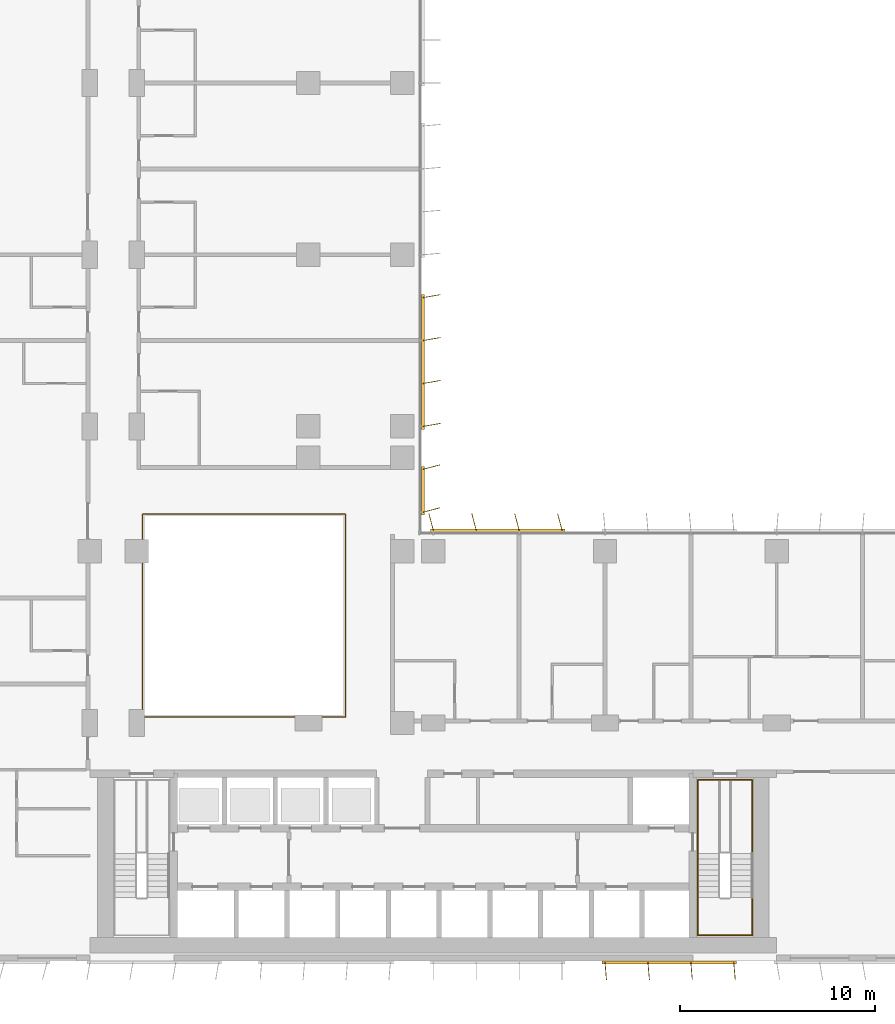
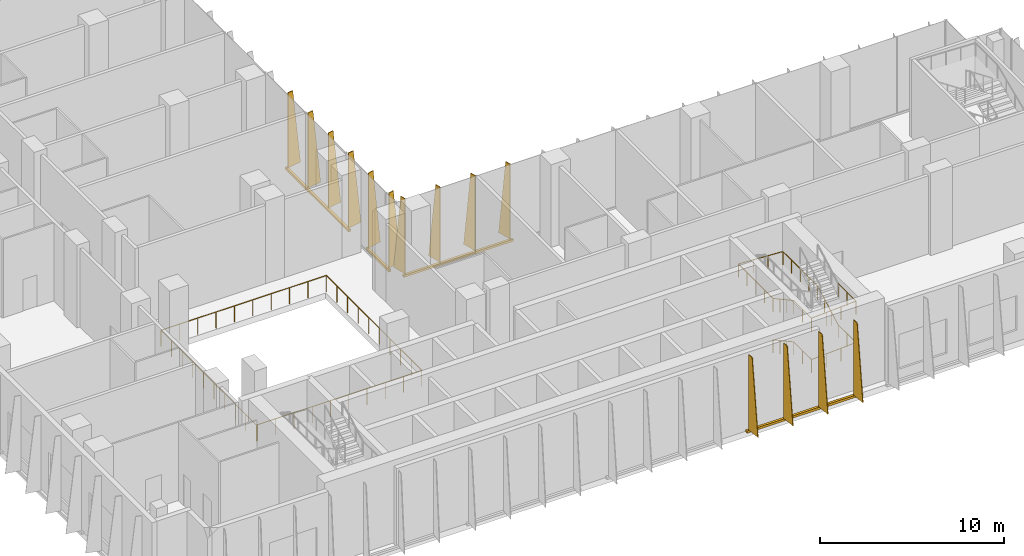
# One storey, part 21 of 26: 4 shading devices, 3 railings.
"""IFC4 building model written with IfcOpenShell, lengths in metres."""

from ifc_helpers import new_model, si_unit, direction, frame, origin, origin_2d, place, context, subcontext, project, spatial, polyline, rectangle, circle, outline, extrude, source, transform, mapped, material, layer, layer_set, type_object, element, save


model = new_model("IFC4")

# Units and contexts
model_context = context("Model", 3, precision=1e-05, world=origin(), true_north=direction((0.0, 1.0)))
body_context = subcontext(model_context, "Body", "Model", "MODEL_VIEW")
ifc_project = project(units=[si_unit("LENGTHUNIT", "METRE"), si_unit("AREAUNIT", "SQUARE_METRE"), si_unit("VOLUMEUNIT", "CUBIC_METRE"), si_unit("PLANEANGLEUNIT", "RADIAN"), si_unit("MASSUNIT", "GRAM", prefix="KILO")], contexts=[model_context])

# Site, building, storey
site_placement = place(None, origin())
site = spatial("IfcSite", under=ifc_project, at=site_placement, CompositionType="ELEMENT")
building_placement = place(site_placement, origin())
building = spatial("IfcBuilding", under=site, at=building_placement, Name="Kemantara Hotel Tower", CompositionType="ELEMENT")
storey_placement = place(building_placement, frame((0.0, 0.0, 101.89990234375)))
storey = spatial("IfcBuildingStorey", under=building, at=storey_placement, Name="L24", CompositionType="ELEMENT", Elevation=101.89990234375)

# Railings
ifc_material_1 = material(Name="Stainless steel and laminated glass balustrade", Category="steel")
railing_type_1 = type_object("IfcRailingType", Name="ATRIUM GUARD 1100", PredefinedType="GUARDRAIL", material=ifc_material_1)
railing_1_placement = place(storey_placement, frame((12.56005859375, 12.5, 0.0)))
element("IfcRailing", 1, at=railing_1_placement, inside=storey, type_object=railing_type_1, Name="ATRIUM GUARD L24", PredefinedType="GUARDRAIL", context=body_context, shape_type="SweptSolid", body=[
    extrude(circle(Radius=0.02490234375, at=origin_2d()), frame((0.0, 0.0, 1.0751953125), z_axis=(1.0, 0.0, 0.0), x_axis=(0.0, 1.0, 0.0)), (0.0, 0.0, 1.0), 10.33984375),
    extrude(circle(Radius=0.02490234375, at=origin_2d()), frame((10.33984375, 0.0, 1.0751953125), z_axis=(0.0, 1.0, 0.0), x_axis=(-1.0, 0.0, 0.0)), (0.0, 0.0, 1.0), 10.39990234375),
    extrude(circle(Radius=0.02490234375, at=origin_2d()), frame((10.33984375, 10.39990234375, 1.0751953125), z_axis=(-1.0, 0.0, 0.0), x_axis=(0.0, -1.0, 0.0)), (0.0, 0.0, 1.0), 10.39990234375),
    extrude(circle(Radius=0.02490234375, at=origin_2d()), frame((-0.06005859375, 10.39990234375, 1.0751953125), z_axis=(0.0, -1.0, 0.0), x_axis=(1.0, 0.0, 0.0)), (0.0, 0.0, 1.0), 10.39990234375),
    extrude(circle(Radius=0.02001953125, at=origin_2d()), origin(), (0.0, 0.0, 1.0), 1.050048828125),
    extrude(circle(Radius=0.02001953125, at=origin_2d()), frame((1.14892578125, 0.0, 0.0)), (0.0, 0.0, 1.0), 1.050048828125),
    extrude(circle(Radius=0.02001953125, at=origin_2d()), frame((2.2978515625, 0.0, 0.0)), (0.0, 0.0, 1.0), 1.050048828125),
    extrude(circle(Radius=0.02001953125, at=origin_2d()), frame((3.446533203125, 0.0, 0.0)), (0.0, 0.0, 1.0), 1.050048828125),
    extrude(circle(Radius=0.02001953125, at=origin_2d()), frame((4.595458984375, 0.0, 0.0)), (0.0, 0.0, 1.0), 1.050048828125),
    extrude(circle(Radius=0.02001953125, at=origin_2d()), frame((5.744384765625, 0.0, 0.0)), (0.0, 0.0, 1.0), 1.050048828125),
    extrude(circle(Radius=0.02001953125, at=origin_2d()), frame((6.893310546875, 0.0, 0.0)), (0.0, 0.0, 1.0), 1.050048828125),
    extrude(circle(Radius=0.02001953125, at=origin_2d()), frame((8.0419921875, 0.0, 0.0)), (0.0, 0.0, 1.0), 1.050048828125),
    extrude(circle(Radius=0.02001953125, at=origin_2d()), frame((9.19091796875, 0.0, 0.0)), (0.0, 0.0, 1.0), 1.050048828125),
    extrude(circle(Radius=0.02001953125, at=origin_2d()), frame((10.33984375, 0.0, 0.0)), (0.0, 0.0, 1.0), 1.050048828125),
    extrude(circle(Radius=0.02001953125, at=origin_2d()), frame((10.33984375, 1.155517578125, 0.0)), (0.0, 0.0, 1.0), 1.050048828125),
    extrude(circle(Radius=0.02001953125, at=origin_2d()), frame((10.33984375, 2.31103515625, 0.0)), (0.0, 0.0, 1.0), 1.050048828125),
    extrude(circle(Radius=0.02001953125, at=origin_2d()), frame((10.33984375, 3.466552734375, 0.0)), (0.0, 0.0, 1.0), 1.050048828125),
    extrude(circle(Radius=0.02001953125, at=origin_2d()), frame((10.33984375, 4.6220703125, 0.0)), (0.0, 0.0, 1.0), 1.050048828125),
    extrude(circle(Radius=0.02001953125, at=origin_2d()), frame((10.33984375, 5.77783203125, 0.0)), (0.0, 0.0, 1.0), 1.050048828125),
    extrude(circle(Radius=0.02001953125, at=origin_2d()), frame((10.33984375, 6.933349609375, 0.0)), (0.0, 0.0, 1.0), 1.050048828125),
    extrude(circle(Radius=0.02001953125, at=origin_2d()), frame((10.33984375, 8.0888671875, 0.0)), (0.0, 0.0, 1.0), 1.050048828125),
    extrude(circle(Radius=0.02001953125, at=origin_2d()), frame((10.33984375, 9.244384765625, 0.0)), (0.0, 0.0, 1.0), 1.050048828125),
    extrude(circle(Radius=0.02001953125, at=origin_2d()), frame((10.33984375, 10.39990234375, 0.0)), (0.0, 0.0, 1.0), 1.050048828125),
    extrude(circle(Radius=0.02001953125, at=origin_2d()), frame((9.184326171875, 10.39990234375, 0.0)), (0.0, 0.0, 1.0), 1.050048828125),
    extrude(circle(Radius=0.02001953125, at=origin_2d()), frame((8.02880859375, 10.39990234375, 0.0)), (0.0, 0.0, 1.0), 1.050048828125),
    extrude(circle(Radius=0.02001953125, at=origin_2d()), frame((6.873291015625, 10.39990234375, 0.0)), (0.0, 0.0, 1.0), 1.050048828125),
    extrude(circle(Radius=0.02001953125, at=origin_2d()), frame((5.7177734375, 10.39990234375, 0.0)), (0.0, 0.0, 1.0), 1.050048828125),
    extrude(circle(Radius=0.02001953125, at=origin_2d()), frame((4.56201171875, 10.39990234375, 0.0)), (0.0, 0.0, 1.0), 1.050048828125),
    extrude(circle(Radius=0.02001953125, at=origin_2d()), frame((3.406494140625, 10.39990234375, 0.0)), (0.0, 0.0, 1.0), 1.050048828125),
    extrude(circle(Radius=0.02001953125, at=origin_2d()), frame((2.2509765625, 10.39990234375, 0.0)), (0.0, 0.0, 1.0), 1.050048828125),
    extrude(circle(Radius=0.02001953125, at=origin_2d()), frame((1.095458984375, 10.39990234375, 0.0)), (0.0, 0.0, 1.0), 1.050048828125),
    extrude(circle(Radius=0.02001953125, at=origin_2d()), frame((-0.06005859375, 10.39990234375, 0.0)), (0.0, 0.0, 1.0), 1.050048828125),
    extrude(circle(Radius=0.02001953125, at=origin_2d()), frame((-0.06005859375, 9.244384765625, 0.0)), (0.0, 0.0, 1.0), 1.050048828125),
    extrude(circle(Radius=0.02001953125, at=origin_2d()), frame((-0.06005859375, 8.0888671875, 0.0)), (0.0, 0.0, 1.0), 1.050048828125),
    extrude(circle(Radius=0.02001953125, at=origin_2d()), frame((-0.06005859375, 6.933349609375, 0.0)), (0.0, 0.0, 1.0), 1.050048828125),
    extrude(circle(Radius=0.02001953125, at=origin_2d()), frame((-0.06005859375, 5.77783203125, 0.0)), (0.0, 0.0, 1.0), 1.050048828125),
    extrude(circle(Radius=0.02001953125, at=origin_2d()), frame((-0.06005859375, 4.6220703125, 0.0)), (0.0, 0.0, 1.0), 1.050048828125),
    extrude(circle(Radius=0.02001953125, at=origin_2d()), frame((-0.06005859375, 3.466552734375, 0.0)), (0.0, 0.0, 1.0), 1.050048828125),
    extrude(circle(Radius=0.02001953125, at=origin_2d()), frame((-0.06005859375, 2.31103515625, 0.0)), (0.0, 0.0, 1.0), 1.050048828125),
    extrude(circle(Radius=0.02001953125, at=origin_2d()), frame((-0.06005859375, 1.155517578125, 0.0)), (0.0, 0.0, 1.0), 1.050048828125),
    extrude(circle(Radius=0.02001953125, at=origin_2d()), frame((-0.06005859375, 0.0, 0.0)), (0.0, 0.0, 1.0), 1.050048828125),
])
ifc_material_2 = material(Name="Stainless steel balustrade", Category="steel")
railing_type_2 = type_object("IfcRailingType", Name="Stair handrail 900 mm", PredefinedType="HANDRAIL", material=ifc_material_2)
railing_2_placement = place(storey_placement, frame((40.949951171875, 5.5, 0.15283203125)))
element("IfcRailing", 2, at=railing_2_placement, inside=storey, type_object=railing_type_2, Name="L24 ST2 stair handrail 1", PredefinedType="HANDRAIL", context=body_context, shape_type="SweptSolid", body=[
    extrude(circle(Radius=0.02392578125, at=origin_2d()), frame((0.0, 0.0, 0.8759765625), z_axis=(0.0, -0.87783706319, 0.478959382924), x_axis=(1.0, 0.0, 0.0)), (0.0, 0.0, 1.0), 2.5517578125),
    extrude(circle(Radius=0.02392578125, at=origin_2d()), frame((0.0, -2.239990234375, 2.09814453125), z_axis=(0.0, -1.0, 0.0), x_axis=(1.0, 0.0, 0.0)), (0.0, 0.0, 1.0), 1.93994140625),
    extrude(circle(Radius=0.02392578125, at=origin_2d()), frame((0.0, -4.179931640625, 2.09814453125), z_axis=(0.998513727286, 0.0, 0.054500792857), x_axis=(0.0, 1.0, 0.0)), (0.0, 0.0, 1.0), 2.80419921875),
    extrude(circle(Radius=0.02392578125, at=origin_2d()), frame((2.800048828125, -4.179931640625, 2.2509765625), z_axis=(0.0, 1.0, 0.0), x_axis=(-1.0, 0.0, 0.0)), (0.0, 0.0, 1.0), 1.93994140625),
    extrude(circle(Radius=0.02392578125, at=origin_2d()), frame((2.800048828125, -2.239990234375, 2.2509765625), z_axis=(0.0, 0.87783706319, 0.478959382924), x_axis=(-1.0, 0.0, 0.0)), (0.0, 0.0, 1.0), 2.5517578125),
    extrude(circle(Radius=0.02392578125, at=origin_2d()), frame((2.800048828125, 0.0, 3.47314453125), z_axis=(0.0, 1.0, 0.0), x_axis=(-1.0, 0.0, 0.0)), (0.0, 0.0, 1.0), 3.780029296875),
    extrude(circle(Radius=0.02099609375, at=origin_2d()), origin(), (0.0, 0.0, 1.0), 0.851806640625),
    extrude(circle(Radius=0.02099609375, at=origin_2d()), frame((0.0, -0.74658203125, 0.407470703125)), (0.0, 0.0, 1.0), 0.851806640625),
    extrude(circle(Radius=0.02099609375, at=origin_2d()), frame((0.0, -1.493408203125, 0.814697265625)), (0.0, 0.0, 1.0), 0.851806640625),
    extrude(circle(Radius=0.02099609375, at=origin_2d()), frame((0.0, -2.239990234375, 1.22216796875)), (0.0, 0.0, 1.0), 0.851806640625),
    extrude(circle(Radius=0.02099609375, at=origin_2d()), frame((0.0, -3.2099609375, 1.22216796875)), (0.0, 0.0, 1.0), 0.851806640625),
    extrude(circle(Radius=0.02099609375, at=origin_2d()), frame((0.0, -4.179931640625, 1.22216796875)), (0.0, 0.0, 1.0), 0.851806640625),
    extrude(circle(Radius=0.02099609375, at=origin_2d()), frame((0.933349609375, -4.179931640625, 1.273193359375)), (0.0, 0.0, 1.0), 0.851806640625),
    extrude(circle(Radius=0.02099609375, at=origin_2d()), frame((1.86669921875, -4.179931640625, 1.323974609375)), (0.0, 0.0, 1.0), 0.851806640625),
    extrude(circle(Radius=0.02099609375, at=origin_2d()), frame((2.800048828125, -4.179931640625, 1.375)), (0.0, 0.0, 1.0), 0.851806640625),
    extrude(circle(Radius=0.02099609375, at=origin_2d()), frame((2.800048828125, -3.2099609375, 1.375)), (0.0, 0.0, 1.0), 0.851806640625),
    extrude(circle(Radius=0.02099609375, at=origin_2d()), frame((2.800048828125, -2.239990234375, 1.375)), (0.0, 0.0, 1.0), 0.851806640625),
    extrude(circle(Radius=0.02099609375, at=origin_2d()), frame((2.800048828125, -1.493408203125, 1.782470703125)), (0.0, 0.0, 1.0), 0.851806640625),
    extrude(circle(Radius=0.02099609375, at=origin_2d()), frame((2.800048828125, -0.74658203125, 2.189697265625)), (0.0, 0.0, 1.0), 0.851806640625),
    extrude(circle(Radius=0.02099609375, at=origin_2d()), frame((2.800048828125, 0.0, 2.59716796875)), (0.0, 0.0, 1.0), 0.851806640625),
    extrude(circle(Radius=0.02099609375, at=origin_2d()), frame((2.800048828125, 0.945068359375, 2.59716796875)), (0.0, 0.0, 1.0), 0.851806640625),
    extrude(circle(Radius=0.02099609375, at=origin_2d()), frame((2.800048828125, 1.89013671875, 2.59716796875)), (0.0, 0.0, 1.0), 0.851806640625),
    extrude(circle(Radius=0.02099609375, at=origin_2d()), frame((2.800048828125, 2.8349609375, 2.59716796875)), (0.0, 0.0, 1.0), 0.851806640625),
    extrude(circle(Radius=0.02099609375, at=origin_2d()), frame((2.800048828125, 3.780029296875, 2.59716796875)), (0.0, 0.0, 1.0), 0.851806640625),
])
railing_3_placement = place(storey_placement, frame((43.75, 9.280029296875, 2.75)))
element("IfcRailing", 3, at=railing_3_placement, inside=storey, type_object=railing_type_2, Name="L24 ST2 stair handrail 2", PredefinedType="HANDRAIL", context=body_context, shape_type="SweptSolid", body=[
    extrude(circle(Radius=0.02392578125, at=origin_2d()), frame((0.0, 0.0, 0.8759765625), z_axis=(-0.998513727286, 0.0, 0.054500792857), x_axis=(0.0, -1.0, 0.0)), (0.0, 0.0, 1.0), 2.80419921875),
    extrude(circle(Radius=0.02392578125, at=origin_2d()), frame((-2.800048828125, 0.0, 1.02880859375), z_axis=(0.0, -1.0, 0.0), x_axis=(1.0, 0.0, 0.0)), (0.0, 0.0, 1.0), 3.780029296875),
    extrude(circle(Radius=0.02392578125, at=origin_2d()), frame((-2.800048828125, -3.780029296875, 1.02880859375), z_axis=(0.0, -0.87783706319, 0.478959382924), x_axis=(1.0, 0.0, 0.0)), (0.0, 0.0, 1.0), 2.5517578125),
    extrude(circle(Radius=0.02392578125, at=origin_2d()), frame((-2.800048828125, -6.02001953125, 2.2509765625), z_axis=(0.0, -1.0, 0.0), x_axis=(1.0, 0.0, 0.0)), (0.0, 0.0, 1.0), 1.93994140625),
    extrude(circle(Radius=0.02392578125, at=origin_2d()), frame((-2.800048828125, -7.9599609375, 2.2509765625), z_axis=(0.998513727286, 0.0, 0.054500792857), x_axis=(0.0, 1.0, 0.0)), (0.0, 0.0, 1.0), 2.80419921875),
    extrude(circle(Radius=0.02392578125, at=origin_2d()), frame((0.0, -7.9599609375, 2.40380859375), z_axis=(0.0, 1.0, 0.0), x_axis=(-1.0, 0.0, 0.0)), (0.0, 0.0, 1.0), 1.93994140625),
    extrude(circle(Radius=0.02099609375, at=origin_2d()), origin(), (0.0, 0.0, 1.0), 0.851806640625),
    extrude(circle(Radius=0.02099609375, at=origin_2d()), frame((-0.933349609375, 0.0, 0.051025390625)), (0.0, 0.0, 1.0), 0.851806640625),
    extrude(circle(Radius=0.02099609375, at=origin_2d()), frame((-1.86669921875, 0.0, 0.101806640625)), (0.0, 0.0, 1.0), 0.851806640625),
    extrude(circle(Radius=0.02099609375, at=origin_2d()), frame((-2.800048828125, 0.0, 0.15283203125)), (0.0, 0.0, 1.0), 0.851806640625),
    extrude(circle(Radius=0.02099609375, at=origin_2d()), frame((-2.800048828125, -0.945068359375, 0.15283203125)), (0.0, 0.0, 1.0), 0.851806640625),
    extrude(circle(Radius=0.02099609375, at=origin_2d()), frame((-2.800048828125, -1.89013671875, 0.15283203125)), (0.0, 0.0, 1.0), 0.851806640625),
    extrude(circle(Radius=0.02099609375, at=origin_2d()), frame((-2.800048828125, -2.8349609375, 0.15283203125)), (0.0, 0.0, 1.0), 0.851806640625),
    extrude(circle(Radius=0.02099609375, at=origin_2d()), frame((-2.800048828125, -3.780029296875, 0.15283203125)), (0.0, 0.0, 1.0), 0.851806640625),
    extrude(circle(Radius=0.02099609375, at=origin_2d()), frame((-2.800048828125, -4.526611328125, 0.560302734375)), (0.0, 0.0, 1.0), 0.851806640625),
    extrude(circle(Radius=0.02099609375, at=origin_2d()), frame((-2.800048828125, -5.2734375, 0.967529296875)), (0.0, 0.0, 1.0), 0.851806640625),
    extrude(circle(Radius=0.02099609375, at=origin_2d()), frame((-2.800048828125, -6.02001953125, 1.375)), (0.0, 0.0, 1.0), 0.851806640625),
    extrude(circle(Radius=0.02099609375, at=origin_2d()), frame((-2.800048828125, -6.989990234375, 1.375)), (0.0, 0.0, 1.0), 0.851806640625),
    extrude(circle(Radius=0.02099609375, at=origin_2d()), frame((-2.800048828125, -7.9599609375, 1.375)), (0.0, 0.0, 1.0), 0.851806640625),
    extrude(circle(Radius=0.02099609375, at=origin_2d()), frame((-1.86669921875, -7.9599609375, 1.426025390625)), (0.0, 0.0, 1.0), 0.851806640625),
    extrude(circle(Radius=0.02099609375, at=origin_2d()), frame((-0.933349609375, -7.9599609375, 1.476806640625)), (0.0, 0.0, 1.0), 0.851806640625),
    extrude(circle(Radius=0.02099609375, at=origin_2d()), frame((0.0, -7.9599609375, 1.52783203125)), (0.0, 0.0, 1.0), 0.851806640625),
    extrude(circle(Radius=0.02099609375, at=origin_2d()), frame((0.0, -6.989990234375, 1.52783203125)), (0.0, 0.0, 1.0), 0.851806640625),
    extrude(circle(Radius=0.02099609375, at=origin_2d()), frame((0.0, -6.02001953125, 1.52783203125)), (0.0, 0.0, 1.0), 0.851806640625),
])

# Shading devices
ifc_material_3 = material(Name="Perforated aluminium plate 4 mm bronze anodised", Category="aluminium")
ifc_layer_1 = layer(ifc_material_3, 0.0400390625)
ifc_layer_set_1 = layer_set([ifc_layer_1], Name="Perforated aluminium plate 4 mm bronze anodised")
shading_device_type_1 = type_object("IfcShadingDeviceType", Name="SCREEN FIN CASSETTE, 4 BLADES AT +15.0 DEG, 5000 HIGH", PredefinedType="USERDEFINED", material=ifc_layer_set_1)
shared_shape_1 = source(origin(), body_context, "Body", "SweptSolid", [
    extrude(rectangle(XDim=6.89990234375, YDim=0.14990234375, at=origin_2d()), frame((3.300048828125, -0.074951171875, -0.14990234375), z_axis=(0.0, 0.0, 1.0), x_axis=(1.0, 0.0, 0.0)), (0.0, 0.0, 1.0), 0.14990234375),
    extrude(outline(polyline([(0.0, 0.0), (0.89990234375, 0.0), (0.35009765625, 5.0), (0.0, 5.0), (0.0, 0.0)])), frame((0.019287109375, -0.06982421875, 0.0), z_axis=(-0.966437683387, -0.256901156343, 0.0), x_axis=(0.256901156343, -0.966437683387, 0.0)), (0.0, 0.0, 1.0), 0.039794921875),
    extrude(outline(polyline([(0.0, 0.0), (0.89990234375, 0.0), (0.35009765625, 5.0), (0.0, 5.0), (0.0, 0.0)])), frame((2.21923828125, -0.06982421875, 0.0), z_axis=(-0.966437683387, -0.256901156343, 0.0), x_axis=(0.256901156343, -0.966437683387, 0.0)), (0.0, 0.0, 1.0), 0.039794921875),
    extrude(outline(polyline([(0.0, 0.0), (0.89990234375, 0.0), (0.35009765625, 5.0), (0.0, 5.0), (0.0, 0.0)])), frame((4.41943359375, -0.06982421875, 0.0), z_axis=(-0.966837822169, -0.255391122837, 0.0), x_axis=(0.255391122837, -0.966837822169, 0.0)), (0.0, 0.0, 1.0), 0.0400390625),
    extrude(outline(polyline([(0.0, 0.0), (0.89990234375, 0.0), (0.35009765625, 5.0), (0.0, 5.0), (0.0, 0.0)])), frame((6.619384765625, -0.06982421875, 0.0), z_axis=(-0.966837822169, -0.255391122837, 0.0), x_axis=(0.255391122837, -0.966837822169, 0.0)), (0.0, 0.0, 1.0), 0.0400390625),
])
shading_device_1_placement = place(storey_placement, frame((34.0, 22.0, 0.10009765625), z_axis=(0.0, 0.0, 1.0), x_axis=(-1.0, 0.0, 0.0)))
element("IfcShadingDevice", 4, at=shading_device_1_placement, inside=storey, type_object=shading_device_type_1, Name="SCREEN FIN CASSETTE L24 T2-R13-4", ObjectType="SCREEN FIN", PredefinedType="USERDEFINED", context=body_context, shape_type="MappedRepresentation", body=[
    mapped(shared_shape_1, transform((0.0, 0.0, 0.0))),
])
ifc_layer_2 = layer(ifc_material_3, 0.0400390625)
ifc_layer_set_2 = layer_set([ifc_layer_2], Name="Perforated aluminium plate 4 mm bronze anodised")
shading_device_type_2 = type_object("IfcShadingDeviceType", Name="SCREEN FIN CASSETTE, 4 BLADES AT +10.0 DEG, 5000 HIGH", PredefinedType="USERDEFINED", material=ifc_layer_set_2)
shared_shape_2 = source(origin(), body_context, "Body", "SweptSolid", [
    extrude(rectangle(XDim=6.89990234375, YDim=0.14990234375, at=origin_2d()), frame((3.300048828125, -0.074951171875, -0.14990234375), z_axis=(0.0, 0.0, 1.0), x_axis=(1.0, 0.0, 0.0)), (0.0, 0.0, 1.0), 0.14990234375),
    extrude(outline(polyline([(0.0, 0.0), (0.89990234375, 0.0), (0.35009765625, 5.0), (0.0, 5.0), (0.0, 0.0)])), frame((0.019775390625, -0.071533203125, 0.0), z_axis=(-0.985389793052, -0.170314285219, 0.0), x_axis=(0.170314285219, -0.985389793052, 0.0)), (0.0, 0.0, 1.0), 0.0400390625),
    extrude(outline(polyline([(0.0, 0.0), (0.89990234375, 0.0), (0.35009765625, 5.0), (0.0, 5.0), (0.0, 0.0)])), frame((2.2197265625, -0.071533203125, 0.0), z_axis=(-0.98521175482, -0.171341174751, 0.0), x_axis=(0.171341174751, -0.98521175482, 0.0)), (0.0, 0.0, 1.0), 0.039794921875),
    extrude(outline(polyline([(0.0, 0.0), (0.89990234375, 0.0), (0.35009765625, 5.0), (0.0, 5.0), (0.0, 0.0)])), frame((4.419677734375, -0.071533203125, 0.0), z_axis=(-0.98521175482, -0.171341174751, 0.0), x_axis=(0.171341174751, -0.98521175482, 0.0)), (0.0, 0.0, 1.0), 0.039794921875),
    extrude(outline(polyline([(0.0, 0.0), (0.89990234375, 0.0), (0.35009765625, 5.0), (0.0, 5.0), (0.0, 0.0)])), frame((6.61962890625, -0.071533203125, 0.0), z_axis=(-0.98521175482, -0.171341174751, 0.0), x_axis=(0.171341174751, -0.98521175482, 0.0)), (0.0, 0.0, 1.0), 0.039794921875),
])
shading_device_2_placement = place(storey_placement, frame((26.800048828125, 27.39990234375, 0.10009765625), z_axis=(0.0, 0.0, 1.0), x_axis=(0.0, 1.0, 0.0)))
element("IfcShadingDevice", 5, at=shading_device_2_placement, inside=storey, type_object=shading_device_type_2, Name="SCREEN FIN CASSETTE L24 T2-R14-2", ObjectType="SCREEN FIN", PredefinedType="USERDEFINED", context=body_context, shape_type="MappedRepresentation", body=[
    mapped(shared_shape_2, transform((0.0, 0.0, 0.0))),
])
ifc_layer_3 = layer(ifc_material_3, 0.0400390625)
ifc_layer_set_3 = layer_set([ifc_layer_3], Name="Perforated aluminium plate 4 mm bronze anodised")
shading_device_type_3 = type_object("IfcShadingDeviceType", Name="SCREEN FIN CASSETTE, 4 BLADES AT +5.0 DEG, 5000 HIGH", PredefinedType="USERDEFINED", material=ifc_layer_set_3)
shared_shape_3 = source(origin(), body_context, "Body", "SweptSolid", [
    extrude(rectangle(XDim=6.89990234375, YDim=0.14990234375, at=origin_2d()), frame((3.300048828125, -0.074951171875, -0.14990234375), z_axis=(0.0, 0.0, 1.0), x_axis=(1.0, 0.0, 0.0)), (0.0, 0.0, 1.0), 0.14990234375),
    extrude(outline(polyline([(0.0, 0.0), (0.89990234375, 0.0), (0.35009765625, 5.0), (0.0, 5.0), (0.0, 0.0)])), frame((0.02001953125, -0.0732421875, 0.0), z_axis=(-0.996376129781, -0.085056498884, 0.0), x_axis=(0.085056498884, -0.996376129781, 0.0)), (0.0, 0.0, 1.0), 0.040283203125),
    extrude(outline(polyline([(0.0, 0.0), (0.89990234375, 0.0), (0.35009765625, 5.0), (0.0, 5.0), (0.0, 0.0)])), frame((2.219970703125, -0.0732421875, 0.0), z_axis=(-0.996331773833, -0.085574508182, 0.0), x_axis=(0.085574508182, -0.996331773833, 0.0)), (0.0, 0.0, 1.0), 0.0400390625),
    extrude(outline(polyline([(0.0, 0.0), (0.89990234375, 0.0), (0.35009765625, 5.0), (0.0, 5.0), (0.0, 0.0)])), frame((4.419921875, -0.0732421875, 0.0), z_axis=(-0.996331773833, -0.085574508182, 0.0), x_axis=(0.085574508182, -0.996331773833, 0.0)), (0.0, 0.0, 1.0), 0.0400390625),
    extrude(outline(polyline([(0.0, 0.0), (0.89990234375, 0.0), (0.35009765625, 5.0), (0.0, 5.0), (0.0, 0.0)])), frame((6.619873046875, -0.0732421875, 0.0), z_axis=(-0.996331773833, -0.085574508182, 0.0), x_axis=(0.085574508182, -0.996331773833, 0.0)), (0.0, 0.0, 1.0), 0.0400390625),
])
shading_device_3_placement = place(storey_placement, frame((36.199951171875, 0.0, 0.10009765625), z_axis=(0.0, 0.0, 1.0), x_axis=(1.0, 0.0, 0.0)))
element("IfcShadingDevice", 6, at=shading_device_3_placement, inside=storey, type_object=shading_device_type_3, Name="SCREEN FIN CASSETTE L24 T2-R07-5", ObjectType="SCREEN FIN", PredefinedType="USERDEFINED", context=body_context, shape_type="MappedRepresentation", body=[
    mapped(shared_shape_3, transform((0.0, 0.0, 0.0))),
])
ifc_layer_4 = layer(ifc_material_3, 0.0400390625)
ifc_layer_set_4 = layer_set([ifc_layer_4], Name="Perforated aluminium plate 4 mm bronze anodised")
shading_device_type_4 = type_object("IfcShadingDeviceType", Name="SCREEN FIN CASSETTE, 2 BLADES AT +15.0 DEG, 5000 HIGH", PredefinedType="USERDEFINED", material=ifc_layer_set_4)
shared_shape_4 = source(origin(), body_context, "Body", "SweptSolid", [
    extrude(rectangle(XDim=2.5, YDim=0.14990234375, at=origin_2d()), frame((1.10009765625, -0.074951171875, -0.14990234375), z_axis=(0.0, 0.0, 1.0), x_axis=(1.0, 0.0, 0.0)), (0.0, 0.0, 1.0), 0.14990234375),
    extrude(outline(polyline([(0.0, 0.0), (0.89990234375, 0.0), (0.35009765625, 5.0), (0.0, 5.0), (0.0, 0.0)])), frame((0.019287109375, -0.06982421875, 0.0), z_axis=(-0.966437683387, -0.256901156343, 0.0), x_axis=(0.256901156343, -0.966437683387, 0.0)), (0.0, 0.0, 1.0), 0.039794921875),
    extrude(outline(polyline([(0.0, 0.0), (0.89990234375, 0.0), (0.35009765625, 5.0), (0.0, 5.0), (0.0, 0.0)])), frame((2.21923828125, -0.06982421875, 0.0), z_axis=(-0.966437683387, -0.256901156343, 0.0), x_axis=(0.256901156343, -0.966437683387, 0.0)), (0.0, 0.0, 1.0), 0.039794921875),
])
shading_device_4_placement = place(storey_placement, frame((26.800048828125, 23.0, 0.10009765625), z_axis=(0.0, 0.0, 1.0), x_axis=(0.0, 1.0, 0.0)))
element("IfcShadingDevice", 7, at=shading_device_4_placement, inside=storey, type_object=shading_device_type_4, Name="SCREEN FIN CASSETTE L24 T2-R14-1", ObjectType="SCREEN FIN", PredefinedType="USERDEFINED", context=body_context, shape_type="MappedRepresentation", body=[
    mapped(shared_shape_4, transform((0.0, 0.0, 0.0))),
])

save(model, "model.ifc")
